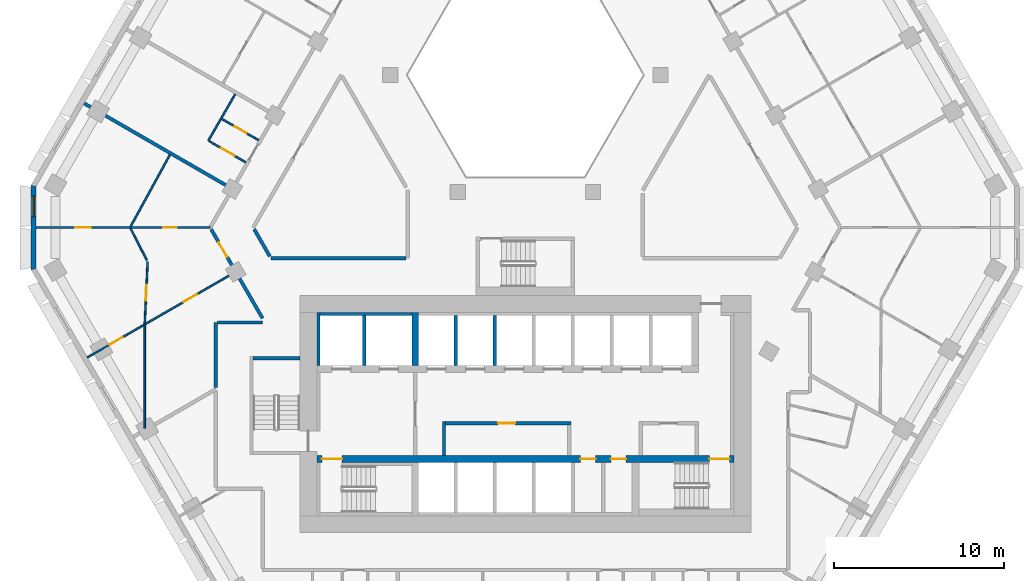
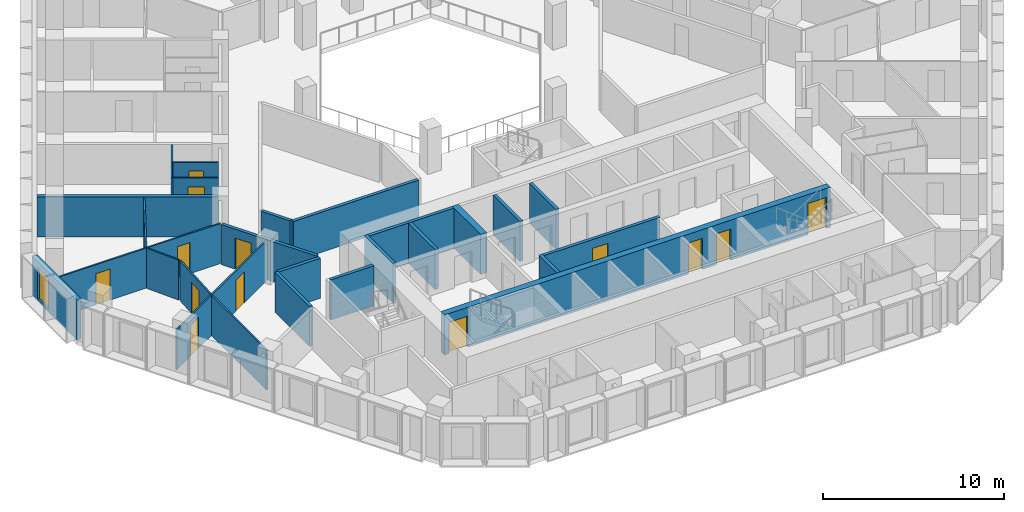
# One storey, part 4 of 15: 26 walls, 13 doors, 1 window, 14 openings.
"""IFC4 building model written with IfcOpenShell, lengths in metres."""

from ifc_helpers import new_model, si_unit, direction, frame, frame_2d, origin, place, context, subcontext, project, spatial, polyline, rectangle, outline, extrude, material, layer, layer_set, type_object, element, fill, save


model = new_model("IFC4")

# Units and contexts
model_context = context("Model", 3, precision=1e-05, world=origin(), true_north=direction((0.0, 1.0)))
body_context = subcontext(model_context, "Body", "Model", "MODEL_VIEW")
ifc_project = project(units=[si_unit("LENGTHUNIT", "METRE"), si_unit("AREAUNIT", "SQUARE_METRE"), si_unit("VOLUMEUNIT", "CUBIC_METRE"), si_unit("PLANEANGLEUNIT", "RADIAN"), si_unit("MASSUNIT", "GRAM", prefix="KILO")], contexts=[model_context])

# Site, building, storey
site_placement = place(None, origin())
site = spatial("IfcSite", under=ifc_project, at=site_placement, CompositionType="ELEMENT")
building_placement = place(site_placement, origin())
building = spatial("IfcBuilding", under=site, at=building_placement, Name="Beryl Residences", CompositionType="ELEMENT")
storey_placement = place(building_placement, frame((0.0, 0.0, 84.0)))
storey = spatial("IfcBuildingStorey", under=building, at=storey_placement, Name="L25", CompositionType="ELEMENT", Elevation=84.0)

# Wall, opening, window
ifc_material_1 = material(Name="Composite metal panel with mineral wool insulation")
ifc_layer_1 = layer(ifc_material_1, 0.300048828125)
ifc_layer_set_1 = layer_set([ifc_layer_1], Name="ES1 pale metal composite panel wall 300 mm")
wall_type_1 = type_object("IfcWallType", Name="ES1 pale metal composite panel wall 300 mm", PredefinedType="SOLIDWALL", material=ifc_layer_set_1)
wall_1_placement = place(storey_placement, frame((-29.007080078125, 1.5, 0.0), z_axis=(0.0, 0.0, 1.0), x_axis=(0.0, -1.0, 0.0)))
wall_1 = element("IfcWall", 1, at=wall_1_placement, inside=storey, type_object=wall_type_1, Name="ES1 external wall L25 NW-SW", PredefinedType="SOLIDWALL", context=body_context, shape_type="SweptSolid", body=[
    extrude(outline(polyline([(0.0, -0.14990234375), (5.0, -0.14990234375), (4.919677734375, 0.14990234375), (0.080322265625, 0.14990234375), (0.0, -0.14990234375)])), origin(), (0.0, 0.0, 1.0), 2.699951171875),
])
opening_1_placement = place(wall_1_placement, frame((0.64990234375, 0.0, 0.14990234375)))
opening_1 = element("IfcOpeningElement", 2, at=opening_1_placement, cuts=wall_1, Name="Opening W2", PredefinedType="OPENING", context=body_context, shape_type="SweptSolid", body=[
    extrude(rectangle(XDim=1.199951171875, YDim=2.10009765625, at=frame_2d((0.60009765625, 1.050048828125))), frame((0.0, 0.159912109375, 0.0), z_axis=(0.0, -1.0, 0.0), x_axis=(1.0, 0.0, 0.0)), (0.0, 0.0, 1.0), 0.320068359375),
])
ifc_material_2 = material(Name="Aluminium and clear glass", Category="aluminium")
window_type = type_object("IfcWindowType", Name="W2 chamfer window 1200 x 2100 mm", PartitioningType="SINGLE_PANEL", PredefinedType="WINDOW", material=ifc_material_2)
window_placement = place(opening_1_placement, origin())
window = element("IfcWindow", 3, at=window_placement, inside=storey, type_object=window_type, Name="W2 window L25 NW-SW 1", OverallHeight=2.10009765625, OverallWidth=1.199951171875, PartitioningType="SINGLE_PANEL", PredefinedType="WINDOW", context=body_context, shape_type="SweptSolid", body=[
    extrude(rectangle(XDim=1.199951171875, YDim=2.10009765625, at=frame_2d((0.60009765625, 1.050048828125))), frame((0.0, 0.030029296875, 0.0), z_axis=(0.0, -1.0, 0.0), x_axis=(1.0, 0.0, 0.0)), (0.0, 0.0, 1.0), 0.06005859375),
])
fill(opening_1, window)

# Wall
ifc_material_3 = material(Name="Gypsum board partition on steel studs", Category="steel")
ifc_layer_2 = layer(ifc_material_3, 0.10009765625)
ifc_layer_set_2 = layer_set([ifc_layer_2], Name="PT1 partition 100 mm gypsum board on steel studs")
wall_type_2 = type_object("IfcWallType", Name="PT1 partition 100 mm gypsum board on steel studs", PredefinedType="PARTITIONING", material=ifc_layer_set_2)
wall_2_placement = place(storey_placement, frame((-23.2890625, -1.053955078125, 0.0), z_axis=(0.0, 0.0, 1.0), x_axis=(0.458226112305, -0.888835659726, 0.0)))
element("IfcWall", 4, at=wall_2_placement, inside=storey, type_object=wall_type_2, Name="Wall PT1 L25 009", PredefinedType="PARTITIONING", context=body_context, shape_type="SweptSolid", body=[
    extrude(rectangle(XDim=2.10400390625, YDim=0.10009765625, at=frame_2d((1.052001953125, 0.0))), origin(), (0.0, 0.0, 1.0), 2.699951171875),
])

# Wall, opening, door
wall_3_placement = place(storey_placement, frame((-17.905029296875, 5.406982421875, 0.0), z_axis=(0.0, 0.0, 1.0), x_axis=(0.866080321209, -0.499904868165, 0.0)))
wall_3 = element("IfcWall", 5, at=wall_3_placement, inside=storey, type_object=wall_type_2, Name="Wall PT1 L25 019", PredefinedType="PARTITIONING", context=body_context, shape_type="SweptSolid", body=[
    extrude(rectangle(XDim=2.51025390625, YDim=0.10009765625, at=frame_2d((1.255126953125, 0.0))), origin(), (0.0, 0.0, 1.0), 2.699951171875),
])
opening_2_placement = place(wall_3_placement, frame((0.8798828125, 0.0, 0.0)))
opening_2 = element("IfcOpeningElement", 6, at=opening_2_placement, cuts=wall_3, Name="Opening D0839", PredefinedType="OPENING", context=body_context, shape_type="SweptSolid", body=[
    extrude(rectangle(XDim=0.800048828125, YDim=2.10009765625, at=frame_2d((0.39990234375, 1.050048828125))), frame((0.0, 0.06005859375, 0.0), z_axis=(0.0, -1.0, 0.0), x_axis=(1.0, 0.0, 0.0)), (0.0, 0.0, 1.0), 0.1201171875),
])
ifc_material_4 = material(Name="Timber door leaf", Category="wood")
door_type_1 = type_object("IfcDoorType", Name="D3 bathroom door 800 x 2100 mm", OperationType="SINGLE_SWING_LEFT", PredefinedType="DOOR", material=ifc_material_4)
door_1_placement = place(opening_2_placement, origin())
door_1 = element("IfcDoor", 7, at=door_1_placement, inside=storey, type_object=door_type_1, Name="Door D0839 L25 001", OperationType="SINGLE_SWING_LEFT", OverallHeight=2.10009765625, OverallWidth=0.800048828125, PredefinedType="DOOR", context=body_context, shape_type="SweptSolid", body=[
    extrude(rectangle(XDim=0.800048828125, YDim=2.10009765625, at=frame_2d((0.39990234375, 1.050048828125))), frame((0.0, 0.02490234375, 0.0), z_axis=(0.0, -1.0, 0.0), x_axis=(1.0, 0.0, 0.0)), (0.0, 0.0, 1.0), 0.050048828125),
])
fill(opening_2, door_1)

wall_4_placement = place(storey_placement, frame((-18.657958984375, 4.10205078125, 0.0), z_axis=(0.0, 0.0, 1.0), x_axis=(0.865916579361, -0.500188442078, 0.0)))
wall_4 = element("IfcWall", 8, at=wall_4_placement, inside=storey, type_object=wall_type_2, Name="Wall PT1 L25 021", PredefinedType="PARTITIONING", context=body_context, shape_type="SweptSolid", body=[
    extrude(rectangle(XDim=2.50927734375, YDim=0.10009765625, at=frame_2d((1.254638671875, 0.0))), origin(), (0.0, 0.0, 1.0), 2.699951171875),
])
opening_3_placement = place(wall_4_placement, frame((0.8291015625, 0.0, 0.0)))
opening_3 = element("IfcOpeningElement", 9, at=opening_3_placement, cuts=wall_4, Name="Opening D0838", PredefinedType="OPENING", context=body_context, shape_type="SweptSolid", body=[
    extrude(rectangle(XDim=0.89990234375, YDim=2.10009765625, at=frame_2d((0.449951171875, 1.050048828125))), frame((0.0, 0.06005859375, 0.0), z_axis=(0.0, -1.0, 0.0), x_axis=(1.0, 0.0, 0.0)), (0.0, 0.0, 1.0), 0.1201171875),
])
ifc_material_5 = material(Name="Timber door leaf", Category="wood")
door_type_2 = type_object("IfcDoorType", Name="D2 room door 900 x 2100 mm", OperationType="SINGLE_SWING_LEFT", PredefinedType="DOOR", material=ifc_material_5)
door_2_placement = place(opening_3_placement, origin())
door_2 = element("IfcDoor", 10, at=door_2_placement, inside=storey, type_object=door_type_2, Name="Door D0838 L25 001", OperationType="SINGLE_SWING_RIGHT", OverallHeight=2.10009765625, OverallWidth=0.89990234375, PredefinedType="DOOR", context=body_context, shape_type="SweptSolid", body=[
    extrude(rectangle(XDim=0.89990234375, YDim=2.10009765625, at=frame_2d((0.449951171875, 1.050048828125))), frame((0.0, 0.02490234375, 0.0), z_axis=(0.0, -1.0, 0.0), x_axis=(1.0, 0.0, 0.0)), (0.0, 0.0, 1.0), 0.050048828125),
])
fill(opening_3, door_2)

# Wall, openings, doors
wall_5_placement = place(storey_placement, frame((-28.85693359375, -1.0009765625, 0.0), z_axis=(0.0, 0.0, 1.0), x_axis=(1.0, 0.0, 0.0)))
wall_5 = element("IfcWall", 11, at=wall_5_placement, inside=storey, type_object=wall_type_2, Name="Wall PT1 L25 027", PredefinedType="PARTITIONING", context=body_context, shape_type="SweptSolid", body=[
    extrude(rectangle(XDim=10.265869140625, YDim=0.10009765625, at=frame_2d((5.1328125, 0.0))), origin(), (0.0, 0.0, 1.0), 2.699951171875),
])
opening_4_placement = place(wall_5_placement, frame((7.5029296875, 0.0, 0.0)))
opening_4 = element("IfcOpeningElement", 12, at=opening_4_placement, cuts=wall_5, Name="Opening D0842", PredefinedType="OPENING", context=body_context, shape_type="SweptSolid", body=[
    extrude(rectangle(XDim=0.800048828125, YDim=2.10009765625, at=frame_2d((0.39990234375, 1.050048828125))), frame((0.0, 0.06005859375, 0.0), z_axis=(0.0, -1.0, 0.0), x_axis=(1.0, 0.0, 0.0)), (0.0, 0.0, 1.0), 0.1201171875),
])
opening_5_placement = place(wall_5_placement, frame((2.320068359375, 0.0, 0.0)))
opening_5 = element("IfcOpeningElement", 13, at=opening_5_placement, cuts=wall_5, Name="Opening D0844", PredefinedType="OPENING", context=body_context, shape_type="SweptSolid", body=[
    extrude(rectangle(XDim=0.89990234375, YDim=2.10009765625, at=frame_2d((0.449951171875, 1.050048828125))), frame((0.0, 0.06005859375, 0.0), z_axis=(0.0, -1.0, 0.0), x_axis=(1.0, 0.0, 0.0)), (0.0, 0.0, 1.0), 0.1201171875),
])
door_3_placement = place(opening_5_placement, origin())
door_3 = element("IfcDoor", 14, at=door_3_placement, inside=storey, type_object=door_type_2, Name="Door D0844 L25 001", OperationType="SINGLE_SWING_RIGHT", OverallHeight=2.10009765625, OverallWidth=0.89990234375, PredefinedType="DOOR", context=body_context, shape_type="SweptSolid", body=[
    extrude(rectangle(XDim=0.89990234375, YDim=2.10009765625, at=frame_2d((0.449951171875, 1.050048828125))), frame((0.0, 0.02490234375, 0.0), z_axis=(0.0, -1.0, 0.0), x_axis=(1.0, 0.0, 0.0)), (0.0, 0.0, 1.0), 0.050048828125),
])
fill(opening_5, door_3)
door_4_placement = place(opening_4_placement, origin())
door_4 = element("IfcDoor", 15, at=door_4_placement, inside=storey, type_object=door_type_1, Name="Door D0842 L25 001", OperationType="SINGLE_SWING_RIGHT", OverallHeight=2.10009765625, OverallWidth=0.800048828125, PredefinedType="DOOR", context=body_context, shape_type="SweptSolid", body=[
    extrude(rectangle(XDim=0.800048828125, YDim=2.10009765625, at=frame_2d((0.39990234375, 1.050048828125))), frame((0.0, 0.02490234375, 0.0), z_axis=(0.0, -1.0, 0.0), x_axis=(1.0, 0.0, 0.0)), (0.0, 0.0, 1.0), 0.050048828125),
])
fill(opening_4, door_4)

# Walls
wall_6_placement = place(storey_placement, frame((-18.700927734375, 4.1279296875, 0.0), z_axis=(0.0, 0.0, 1.0), x_axis=(0.500023029176, 0.866012107475, 0.0)))
element("IfcWall", 16, at=wall_6_placement, inside=storey, type_object=wall_type_2, Name="Wall PT1 L25 035", PredefinedType="PARTITIONING", context=body_context, shape_type="SweptSolid", body=[
    extrude(rectangle(XDim=3.163818359375, YDim=0.10009765625, at=frame_2d((1.58203125, 0.0))), origin(), (0.0, 0.0, 1.0), 2.699951171875),
])
wall_7_placement = place(storey_placement, frame((-23.2890625, -0.950927734375, 0.0), z_axis=(0.0, 0.0, 1.0), x_axis=(0.481164463081, 0.876630343684, 0.0)))
element("IfcWall", 17, at=wall_7_placement, inside=storey, type_object=wall_type_2, Name="Wall PT1 L25 039", PredefinedType="PARTITIONING", context=body_context, shape_type="SweptSolid", body=[
    extrude(rectangle(XDim=4.83447265625, YDim=0.10009765625, at=frame_2d((2.417236328125, 0.0))), origin(), (0.0, 0.0, 1.0), 2.699951171875),
])

# Wall, opening, door
wall_8_placement = place(storey_placement, frame((-22.447021484375, -6.65087890625, 0.0), z_axis=(0.0, 0.0, 1.0), x_axis=(0.046122262393, 0.998935802197, 0.0)))
wall_8 = element("IfcWall", 18, at=wall_8_placement, inside=storey, type_object=wall_type_2, Name="Wall PT1 L25 045", PredefinedType="PARTITIONING", context=body_context, shape_type="SweptSolid", body=[
    extrude(rectangle(XDim=3.641845703125, YDim=0.10009765625, at=frame_2d((1.82080078125, 0.0))), origin(), (0.0, 0.0, 1.0), 2.699951171875),
])
opening_6_placement = place(wall_8_placement, frame((1.341064453125, 0.0, 0.0)))
opening_6 = element("IfcOpeningElement", 19, at=opening_6_placement, cuts=wall_8, Name="Opening D0843", PredefinedType="OPENING", context=body_context, shape_type="SweptSolid", body=[
    extrude(rectangle(XDim=0.89990234375, YDim=2.10009765625, at=frame_2d((0.449951171875, 1.050048828125))), frame((0.0, 0.06005859375, 0.0), z_axis=(0.0, -1.0, 0.0), x_axis=(1.0, 0.0, 0.0)), (0.0, 0.0, 1.0), 0.1201171875),
])
door_5_placement = place(opening_6_placement, origin())
door_5 = element("IfcDoor", 20, at=door_5_placement, inside=storey, type_object=door_type_2, Name="Door D0843 L25 001", OperationType="SINGLE_SWING_LEFT", OverallHeight=2.10009765625, OverallWidth=0.89990234375, PredefinedType="DOOR", context=body_context, shape_type="SweptSolid", body=[
    extrude(rectangle(XDim=0.89990234375, YDim=2.10009765625, at=frame_2d((0.449951171875, 1.050048828125))), frame((0.0, 0.02490234375, 0.0), z_axis=(0.0, -1.0, 0.0), x_axis=(1.0, 0.0, 0.0)), (0.0, 0.0, 1.0), 0.050048828125),
])
fill(opening_6, door_5)

# Wall
wall_9_placement = place(storey_placement, frame((-22.449951171875, -12.845947265625, 0.0), z_axis=(0.0, 0.0, 1.0), x_axis=(0.0, 1.0, 0.0)))
element("IfcWall", 21, at=wall_9_placement, inside=storey, type_object=wall_type_2, Name="Wall PT1 L25 059", PredefinedType="PARTITIONING", context=body_context, shape_type="SweptSolid", body=[
    extrude(rectangle(XDim=6.077880859375, YDim=0.10009765625, at=frame_2d((3.0390625, 0.0))), origin(), (0.0, 0.0, 1.0), 2.699951171875),
])

# Wall, openings, doors
wall_10_placement = place(storey_placement, frame((-25.830078125, -8.662109375, 0.0), z_axis=(0.0, 0.0, 1.0), x_axis=(0.866022959057, 0.500004234368, 0.0)))
wall_10 = element("IfcWall", 22, at=wall_10_placement, inside=storey, type_object=wall_type_2, Name="Wall PT1 L25 065", PredefinedType="PARTITIONING", context=body_context, shape_type="SweptSolid", body=[
    extrude(rectangle(XDim=10.0, YDim=0.10009765625, at=frame_2d((5.0, 0.0))), origin(), (0.0, 0.0, 1.0), 2.699951171875),
])
opening_7_placement = place(wall_10_placement, frame((6.551025390625, 0.0, 0.0)))
opening_7 = element("IfcOpeningElement", 23, at=opening_7_placement, cuts=wall_10, Name="Opening D0841", PredefinedType="OPENING", context=body_context, shape_type="SweptSolid", body=[
    extrude(rectangle(XDim=0.89990234375, YDim=2.10009765625, at=frame_2d((0.449951171875, 1.050048828125))), frame((0.0, 0.06005859375, 0.0), z_axis=(0.0, -1.0, 0.0), x_axis=(1.0, 0.0, 0.0)), (0.0, 0.0, 1.0), 0.1201171875),
])
opening_8_placement = place(wall_10_placement, frame((1.5009765625, 0.0, 0.0)))
opening_8 = element("IfcOpeningElement", 24, at=opening_8_placement, cuts=wall_10, Name="Opening D0845", PredefinedType="OPENING", context=body_context, shape_type="SweptSolid", body=[
    extrude(rectangle(XDim=0.89990234375, YDim=2.10009765625, at=frame_2d((0.449951171875, 1.050048828125))), frame((0.0, 0.06005859375, 0.0), z_axis=(0.0, -1.0, 0.0), x_axis=(1.0, 0.0, 0.0)), (0.0, 0.0, 1.0), 0.1201171875),
])
door_6_placement = place(opening_7_placement, origin())
door_6 = element("IfcDoor", 25, at=door_6_placement, inside=storey, type_object=door_type_2, Name="Door D0841 L25 001", OperationType="SINGLE_SWING_LEFT", OverallHeight=2.10009765625, OverallWidth=0.89990234375, PredefinedType="DOOR", context=body_context, shape_type="SweptSolid", body=[
    extrude(rectangle(XDim=0.89990234375, YDim=2.10009765625, at=frame_2d((0.449951171875, 1.050048828125))), frame((0.0, 0.02490234375, 0.0), z_axis=(0.0, -1.0, 0.0), x_axis=(1.0, 0.0, 0.0)), (0.0, 0.0, 1.0), 0.050048828125),
])
fill(opening_7, door_6)
door_7_placement = place(opening_8_placement, origin())
door_7 = element("IfcDoor", 26, at=door_7_placement, inside=storey, type_object=door_type_2, Name="Door D0845 L25 001", OperationType="SINGLE_SWING_LEFT", OverallHeight=2.10009765625, OverallWidth=0.89990234375, PredefinedType="DOOR", context=body_context, shape_type="SweptSolid", body=[
    extrude(rectangle(XDim=0.89990234375, YDim=2.10009765625, at=frame_2d((0.449951171875, 1.050048828125))), frame((0.0, 0.02490234375, 0.0), z_axis=(0.0, -1.0, 0.0), x_axis=(1.0, 0.0, 0.0)), (0.0, 0.0, 1.0), 0.050048828125),
])
fill(opening_8, door_7)

# Wall
ifc_material_6 = material(Name="Concrete masonry", Category="masonry")
ifc_layer_3 = layer(ifc_material_6, 0.199951171875)
ifc_layer_set_3 = layer_set([ifc_layer_3], Name="PT13 lobby wall 200 mm")
wall_type_3 = type_object("IfcWallType", Name="PT13 lobby wall 200 mm", PredefinedType="PARTITIONING", material=ifc_layer_set_3)
wall_11_placement = place(storey_placement, frame((-4.800048828125, -14.449951171875, 0.0), z_axis=(0.0, 0.0, 1.0), x_axis=(0.0, 1.0, 0.0)))
element("IfcWall", 27, at=wall_11_placement, inside=storey, type_object=wall_type_3, Name="Lobby wall 14", PredefinedType="PARTITIONING", context=body_context, shape_type="SweptSolid", body=[
    extrude(rectangle(XDim=2.0, YDim=0.199951171875, at=frame_2d((1.0, 0.0))), origin(), (0.0, 0.0, 1.0), 2.699951171875),
])

# Wall, opening, door
wall_12_placement = place(storey_placement, frame((-4.699951171875, -12.550048828125, 0.0), z_axis=(0.0, 0.0, 1.0), x_axis=(1.0, 0.0, 0.0)))
wall_12 = element("IfcWall", 28, at=wall_12_placement, inside=storey, type_object=wall_type_3, Name="Lobby wall 15", PredefinedType="PARTITIONING", context=body_context, shape_type="SweptSolid", body=[
    extrude(rectangle(XDim=7.39990234375, YDim=0.199951171875, at=frame_2d((3.699951171875, 0.0))), origin(), (0.0, 0.0, 1.0), 2.699951171875),
])
opening_9_placement = place(wall_12_placement, frame((4.10009765625, 0.0, 0.0), z_axis=(0.0, 0.0, 1.0), x_axis=(-1.0, 0.0, 0.0)))
opening_9 = element("IfcOpeningElement", 29, at=opening_9_placement, cuts=wall_12, Name="Opening CD-D-A1", PredefinedType="OPENING", context=body_context, shape_type="SweptSolid", body=[
    extrude(rectangle(XDim=1.0, YDim=2.10009765625, at=frame_2d((0.5, 1.050048828125))), frame((0.0, 0.10986328125, 0.0), z_axis=(0.0, -1.0, 0.0), x_axis=(1.0, 0.0, 0.0)), (0.0, 0.0, 1.0), 0.219970703125),
])
ifc_material_7 = material(Name="Steel door leaf in steel frame", Category="steel")
door_type_3 = type_object("IfcDoorType", Name="D18 service room door 1000 x 2100 mm", OperationType="SINGLE_SWING_LEFT", PredefinedType="DOOR", material=ifc_material_7)
door_8_placement = place(opening_9_placement, origin())
door_8 = element("IfcDoor", 30, at=door_8_placement, inside=storey, type_object=door_type_3, Name="Door CD-D-A1 L25 001", OperationType="SINGLE_SWING_RIGHT", OverallHeight=2.10009765625, OverallWidth=1.0, PredefinedType="DOOR", context=body_context, shape_type="SweptSolid", body=[
    extrude(rectangle(XDim=1.0, YDim=2.10009765625, at=frame_2d((0.5, 1.050048828125))), frame((0.0, 0.02490234375, 0.0), z_axis=(0.0, -1.0, 0.0), x_axis=(1.0, 0.0, 0.0)), (0.0, 0.0, 1.0), 0.050048828125),
])
fill(opening_9, door_8)

# Walls
ifc_material_8 = material(Name="Acoustic double stud gypsum board wall")
ifc_layer_4 = layer(ifc_material_8, 0.199951171875)
ifc_layer_set_4 = layer_set([ifc_layer_4], Name="PT3 party wall 200 mm acoustic double stud")
wall_type_4 = type_object("IfcWallType", Name="PT3 party wall 200 mm acoustic double stud", PredefinedType="PARTITIONING", material=ifc_layer_set_4)
wall_13_placement = place(storey_placement, frame((-26.02490234375, 6.324951171875, 0.0), z_axis=(0.0, 0.0, 1.0), x_axis=(0.866041268327, -0.499972520799, 0.0)))
element("IfcWall", 31, at=wall_13_placement, inside=storey, type_object=wall_type_4, Name="Wall PT3 L25 003", PredefinedType="PARTITIONING", context=body_context, shape_type="SweptSolid", body=[
    extrude(rectangle(XDim=10.00048828125, YDim=0.199951171875, at=frame_2d((5.000244140625, 0.0))), origin(), (0.0, 0.0, 1.0), 2.699951171875),
])
ifc_material_9 = material(Name="Double stud gypsum board wall")
ifc_layer_5 = layer(ifc_material_9, 0.199951171875)
ifc_layer_set_5 = layer_set([ifc_layer_5], Name="PT4 corridor wall 200 mm double stud")
wall_type_5 = type_object("IfcWallType", Name="PT4 corridor wall 200 mm double stud", PredefinedType="PARTITIONING", material=ifc_layer_set_5)
wall_14_placement = place(storey_placement, frame((-15.992919921875, -1.10107421875, 0.0), z_axis=(0.0, 0.0, 1.0), x_axis=(0.499894174133, -0.866086493757, 0.0)))
element("IfcWall", 32, at=wall_14_placement, inside=storey, type_object=wall_type_5, Name="Wall PT4 L25 002", PredefinedType="PARTITIONING", context=body_context, shape_type="SweptSolid", body=[
    extrude(rectangle(XDim=1.84619140625, YDim=0.199951171875, at=frame_2d((0.923095703125, 0.0))), origin(), (0.0, 0.0, 1.0), 2.699951171875),
])

# Wall, opening, door
wall_15_placement = place(storey_placement, frame((-18.532958984375, -1.10107421875, 0.0), z_axis=(0.0, 0.0, 1.0), x_axis=(0.500022085096, -0.866012652573, 0.0)))
wall_15 = element("IfcWall", 33, at=wall_15_placement, inside=storey, type_object=wall_type_5, Name="Wall PT4 L25 003", PredefinedType="PARTITIONING", context=body_context, shape_type="SweptSolid", body=[
    extrude(rectangle(XDim=6.065673828125, YDim=0.199951171875, at=frame_2d((3.03271484375, 0.0))), origin(), (0.0, 0.0, 1.0), 2.699951171875),
])
opening_10_placement = place(wall_15_placement, frame((0.89208984375, 0.0, 0.0)))
opening_10 = element("IfcOpeningElement", 34, at=opening_10_placement, cuts=wall_15, Name="Opening D0840", PredefinedType="OPENING", context=body_context, shape_type="SweptSolid", body=[
    extrude(rectangle(XDim=1.0, YDim=2.10009765625, at=frame_2d((0.5, 1.050048828125))), frame((0.0, 0.10986328125, 0.0), z_axis=(0.0, -1.0, 0.0), x_axis=(1.0, 0.0, 0.0)), (0.0, 0.0, 1.0), 0.219970703125),
])
ifc_material_10 = material(Name="Timber door leaf", Category="wood")
door_type_4 = type_object("IfcDoorType", Name="D1 flat entrance door 1000 x 2100 mm", OperationType="SINGLE_SWING_LEFT", PredefinedType="DOOR", material=ifc_material_10)
door_9_placement = place(opening_10_placement, origin())
door_9 = element("IfcDoor", 35, at=door_9_placement, inside=storey, type_object=door_type_4, Name="Door D0840 L25 001", OperationType="SINGLE_SWING_RIGHT", OverallHeight=2.10009765625, OverallWidth=1.0, PredefinedType="DOOR", context=body_context, shape_type="SweptSolid", body=[
    extrude(rectangle(XDim=1.0, YDim=2.10009765625, at=frame_2d((0.5, 1.050048828125))), frame((0.0, 0.02490234375, 0.0), z_axis=(0.0, -1.0, 0.0), x_axis=(1.0, 0.0, 0.0)), (0.0, 0.0, 1.0), 0.050048828125),
])
fill(opening_10, door_9)

# Walls
wall_16_placement = place(storey_placement, frame((-18.14990234375, -6.60009765625, 0.0), z_axis=(0.0, 0.0, 1.0), x_axis=(1.0, 0.0, 0.0)))
element("IfcWall", 36, at=wall_16_placement, inside=storey, type_object=wall_type_5, Name="Wall PT4 L25 014", PredefinedType="PARTITIONING", context=body_context, shape_type="SweptSolid", body=[
    extrude(rectangle(XDim=2.64892578125, YDim=0.199951171875, at=frame_2d((1.324462890625, 0.0))), origin(), (0.0, 0.0, 1.0), 2.699951171875),
])
wall_17_placement = place(storey_placement, frame((-15.010986328125, -2.800048828125, 0.0), z_axis=(0.0, 0.0, 1.0), x_axis=(1.0, 0.0, 0.0)))
element("IfcWall", 37, at=wall_17_placement, inside=storey, type_object=wall_type_5, Name="Wall PT4 L25 018", PredefinedType="PARTITIONING", context=body_context, shape_type="SweptSolid", body=[
    extrude(rectangle(XDim=7.98193359375, YDim=0.199951171875, at=frame_2d((3.990966796875, 0.0))), origin(), (0.0, 0.0, 1.0), 2.699951171875),
])
wall_18_placement = place(storey_placement, frame((-18.25, -10.4208984375, 0.0), z_axis=(0.0, 0.0, 1.0), x_axis=(0.0, 1.0, 0.0)))
element("IfcWall", 38, at=wall_18_placement, inside=storey, type_object=wall_type_5, Name="Wall PT4 L25 035", PredefinedType="PARTITIONING", context=body_context, shape_type="SweptSolid", body=[
    extrude(rectangle(XDim=3.82080078125, YDim=0.199951171875, at=frame_2d((1.910400390625, 0.0))), origin(), (0.0, 0.0, 1.0), 2.699951171875),
])
ifc_material_11 = material(Name="Concrete C40/50", Category="concrete")
ifc_layer_6 = layer(ifc_material_11, 0.199951171875)
ifc_layer_set_6 = layer_set([ifc_layer_6], Name="PT5 stair enclosure wall 200 mm reinforced concrete C40/50")
wall_type_6 = type_object("IfcWallType", Name="PT5 stair enclosure wall 200 mm reinforced concrete C40/50", PredefinedType="SOLIDWALL", material=ifc_layer_set_6)
wall_19_placement = place(storey_placement, frame((-16.050048828125, -8.699951171875, 0.0), z_axis=(0.0, 0.0, 1.0), x_axis=(1.0, 0.0, 0.0)))
element("IfcWall", 39, at=wall_19_placement, inside=storey, type_object=wall_type_6, Name="Stair wall 03", PredefinedType="SOLIDWALL", context=body_context, shape_type="SweptSolid", body=[
    extrude(rectangle(XDim=2.75, YDim=0.199951171875, at=frame_2d((1.375, 0.0))), origin(), (0.0, 0.0, 1.0), 2.699951171875),
])
ifc_material_12 = material(Name="Concrete C40/50", Category="concrete")
ifc_layer_7 = layer(ifc_material_12, 0.199951171875)
ifc_layer_set_7 = layer_set([ifc_layer_7], Name="PT6 lift shaft wall 200 mm reinforced concrete C40/50")
wall_type_7 = type_object("IfcWallType", Name="PT6 lift shaft wall 200 mm reinforced concrete C40/50", PredefinedType="SOLIDWALL", material=ifc_layer_set_7)
wall_20_placement = place(storey_placement, frame((-12.199951171875, -9.14990234375, 0.0), z_axis=(0.0, 0.0, 1.0), x_axis=(0.0, 1.0, 0.0)))
element("IfcWall", 40, at=wall_20_placement, inside=storey, type_object=wall_type_7, Name="Lift shaft wall 06", PredefinedType="SOLIDWALL", context=body_context, shape_type="SweptSolid", body=[
    extrude(rectangle(XDim=3.14990234375, YDim=0.199951171875, at=frame_2d((1.574951171875, 0.0))), origin(), (0.0, 0.0, 1.0), 2.699951171875),
])
wall_21_placement = place(storey_placement, frame((-12.10009765625, -6.10009765625, 0.0), z_axis=(0.0, 0.0, 1.0), x_axis=(1.0, 0.0, 0.0)))
element("IfcWall", 41, at=wall_21_placement, inside=storey, type_object=wall_type_7, Name="Lift shaft wall 08", PredefinedType="SOLIDWALL", context=body_context, shape_type="SweptSolid", body=[
    extrude(rectangle(XDim=5.400146484375, YDim=0.199951171875, at=frame_2d((2.7001953125, 0.0))), origin(), (0.0, 0.0, 1.0), 2.699951171875),
])
for number, where, z_axis, x_axis, name in (
    (42, (-9.5, -9.14990234375, 0.0), (0.0, 0.0, 1.0), (0.0, 1.0, 0.0), "Lift shaft wall 10"),
    (43, (-4.10009765625, -9.14990234375, 0.0), (0.0, 0.0, 1.0), (0.0, 1.0, 0.0), "Lift shaft wall 17"),
    (44, (-1.800048828125, -9.14990234375, 0.0), (0.0, 0.0, 1.0), (0.0, 1.0, 0.0), "Lift shaft wall 19"),
):
    element("IfcWall", number, at=place(storey_placement, frame(where, z_axis=z_axis, x_axis=x_axis)), inside=storey, type_object=wall_type_7, Name=name, PredefinedType="SOLIDWALL", context=body_context, shape_type="SweptSolid", body=[
        extrude(rectangle(XDim=2.949951171875, YDim=0.199951171875, at=frame_2d((1.47509765625, 0.0))), origin(), (0.0, 0.0, 1.0), 2.699951171875),
    ])

# Wall, openings, doors
ifc_material_13 = material(Name="Concrete C70/85", Category="concrete")
ifc_layer_8 = layer(ifc_material_13, 0.39990234375)
ifc_layer_set_8 = layer_set([ifc_layer_8], Name="SW7 core internal wall 400 mm C70/85")
wall_type_8 = type_object("IfcWallType", Name="SW7 core internal wall 400 mm C70/85", PredefinedType="SHEAR", material=ifc_layer_set_8)
wall_22_placement = place(storey_placement, frame((-12.300048828125, -14.64990234375, 0.0), z_axis=(0.0, 0.0, 1.0), x_axis=(1.0, 0.0, 0.0)))
wall_22 = element("IfcWall", 45, at=wall_22_placement, inside=storey, type_object=wall_type_8, Name="Core wall SP1 L25", PredefinedType="SHEAR", context=body_context, shape_type="SweptSolid", body=[
    extrude(rectangle(XDim=24.60009765625, YDim=0.39990234375, at=frame_2d((12.300048828125, 0.0))), origin(), (0.0, 0.0, 1.0), 2.699951171875),
])
opening_11_placement = place(wall_22_placement, frame((1.5, 0.0, 0.0), z_axis=(0.0, 0.0, 1.0), x_axis=(-1.0, 0.0, 0.0)))
opening_11 = element("IfcOpeningElement", 46, at=opening_11_placement, cuts=wall_22, Name="Opening SD-1", PredefinedType="OPENING", context=body_context, shape_type="SweptSolid", body=[
    extrude(rectangle(XDim=1.199951171875, YDim=2.10009765625, at=frame_2d((0.60009765625, 1.050048828125))), frame((0.0, 0.2099609375, 0.0), z_axis=(0.0, -1.0, 0.0), x_axis=(1.0, 0.0, 0.0)), (0.0, 0.0, 1.0), 0.419921875),
])
opening_12_placement = place(wall_22_placement, frame((24.349853515625, 0.0, 0.0), z_axis=(0.0, 0.0, 1.0), x_axis=(-1.0, 0.0, 0.0)))
opening_12 = element("IfcOpeningElement", 47, at=opening_12_placement, cuts=wall_22, Name="Opening SD-3", PredefinedType="OPENING", context=body_context, shape_type="SweptSolid", body=[
    extrude(rectangle(XDim=1.199951171875, YDim=2.10009765625, at=frame_2d((0.60009765625, 1.050048828125))), frame((0.0, 0.2099609375, 0.0), z_axis=(0.0, -1.0, 0.0), x_axis=(1.0, 0.0, 0.0)), (0.0, 0.0, 1.0), 0.419921875),
])
opening_13_placement = place(wall_22_placement, frame((16.449951171875, 0.0, 0.0), z_axis=(0.0, 0.0, 1.0), x_axis=(-1.0, 0.0, 0.0)))
opening_13 = element("IfcOpeningElement", 48, at=opening_13_placement, cuts=wall_22, Name="Opening CD-D-S1-900", PredefinedType="OPENING", context=body_context, shape_type="SweptSolid", body=[
    extrude(rectangle(XDim=0.89990234375, YDim=2.10009765625, at=frame_2d((0.449951171875, 1.050048828125))), frame((0.0, 0.2099609375, 0.0), z_axis=(0.0, -1.0, 0.0), x_axis=(1.0, 0.0, 0.0)), (0.0, 0.0, 1.0), 0.419921875),
])
opening_14_placement = place(wall_22_placement, frame((18.25, 0.0, 0.0), z_axis=(0.0, 0.0, 1.0), x_axis=(-1.0, 0.0, 0.0)))
opening_14 = element("IfcOpeningElement", 49, at=opening_14_placement, cuts=wall_22, Name="Opening CD-D-S2-900", PredefinedType="OPENING", context=body_context, shape_type="SweptSolid", body=[
    extrude(rectangle(XDim=0.89990234375, YDim=2.10009765625, at=frame_2d((0.449951171875, 1.050048828125))), frame((0.0, 0.2099609375, 0.0), z_axis=(0.0, -1.0, 0.0), x_axis=(1.0, 0.0, 0.0)), (0.0, 0.0, 1.0), 0.419921875),
])
ifc_material_14 = material(Name="Steel door leaf in steel frame", Category="steel")
door_type_5 = type_object("IfcDoorType", Name="D4 stair door 1200 x 2100 mm", OperationType="SINGLE_SWING_LEFT", PredefinedType="DOOR", material=ifc_material_14)
door_10_placement = place(opening_11_placement, origin())
door_10 = element("IfcDoor", 50, at=door_10_placement, inside=storey, type_object=door_type_5, Name="Door SD-1 L25 001", OperationType="SINGLE_SWING_RIGHT", OverallHeight=2.10009765625, OverallWidth=1.199951171875, PredefinedType="DOOR", context=body_context, shape_type="SweptSolid", body=[
    extrude(rectangle(XDim=1.199951171875, YDim=2.10009765625, at=frame_2d((0.60009765625, 1.050048828125))), frame((0.0, 0.02490234375, 0.0), z_axis=(0.0, -1.0, 0.0), x_axis=(1.0, 0.0, 0.0)), (0.0, 0.0, 1.0), 0.050048828125),
])
fill(opening_11, door_10)
door_11_placement = place(opening_12_placement, origin())
door_11 = element("IfcDoor", 51, at=door_11_placement, inside=storey, type_object=door_type_5, Name="Door SD-3 L25 001", OperationType="SINGLE_SWING_RIGHT", OverallHeight=2.10009765625, OverallWidth=1.199951171875, PredefinedType="DOOR", context=body_context, shape_type="SweptSolid", body=[
    extrude(rectangle(XDim=1.199951171875, YDim=2.10009765625, at=frame_2d((0.60009765625, 1.050048828125))), frame((0.0, 0.02490234375, 0.0), z_axis=(0.0, -1.0, 0.0), x_axis=(1.0, 0.0, 0.0)), (0.0, 0.0, 1.0), 0.050048828125),
])
fill(opening_12, door_11)
ifc_material_15 = material(Name="Steel door leaf in steel frame", Category="steel")
door_type_6 = type_object("IfcDoorType", Name="D6 service room door 900 x 2100 mm", OperationType="SINGLE_SWING_LEFT", PredefinedType="DOOR", material=ifc_material_15)
door_12_placement = place(opening_13_placement, origin())
door_12 = element("IfcDoor", 52, at=door_12_placement, inside=storey, type_object=door_type_6, Name="Door CD-D-S1-900 L25 001", OperationType="SINGLE_SWING_RIGHT", OverallHeight=2.10009765625, OverallWidth=0.89990234375, PredefinedType="DOOR", context=body_context, shape_type="SweptSolid", body=[
    extrude(rectangle(XDim=0.89990234375, YDim=2.10009765625, at=frame_2d((0.449951171875, 1.050048828125))), frame((0.0, 0.02490234375, 0.0), z_axis=(0.0, -1.0, 0.0), x_axis=(1.0, 0.0, 0.0)), (0.0, 0.0, 1.0), 0.050048828125),
])
fill(opening_13, door_12)
door_13_placement = place(opening_14_placement, origin())
door_13 = element("IfcDoor", 53, at=door_13_placement, inside=storey, type_object=door_type_6, Name="Door CD-D-S2-900 L25 001", OperationType="SINGLE_SWING_LEFT", OverallHeight=2.10009765625, OverallWidth=0.89990234375, PredefinedType="DOOR", context=body_context, shape_type="SweptSolid", body=[
    extrude(rectangle(XDim=0.89990234375, YDim=2.10009765625, at=frame_2d((0.449951171875, 1.050048828125))), frame((0.0, 0.02490234375, 0.0), z_axis=(0.0, -1.0, 0.0), x_axis=(1.0, 0.0, 0.0)), (0.0, 0.0, 1.0), 0.050048828125),
])
fill(opening_14, door_13)

# Wall
wall_23_placement = place(storey_placement, frame((-6.5, -9.14990234375, 0.0), z_axis=(0.0, 0.0, 1.0), x_axis=(0.0, 1.0, 0.0)))
element("IfcWall", 54, at=wall_23_placement, inside=storey, type_object=wall_type_8, Name="Core wall XN1 L25", PredefinedType="SHEAR", context=body_context, shape_type="SweptSolid", body=[
    extrude(rectangle(XDim=3.14990234375, YDim=0.39990234375, at=frame_2d((1.574951171875, 0.0))), origin(), (0.0, 0.0, 1.0), 2.699951171875),
])

save(model, "model.ifc")
